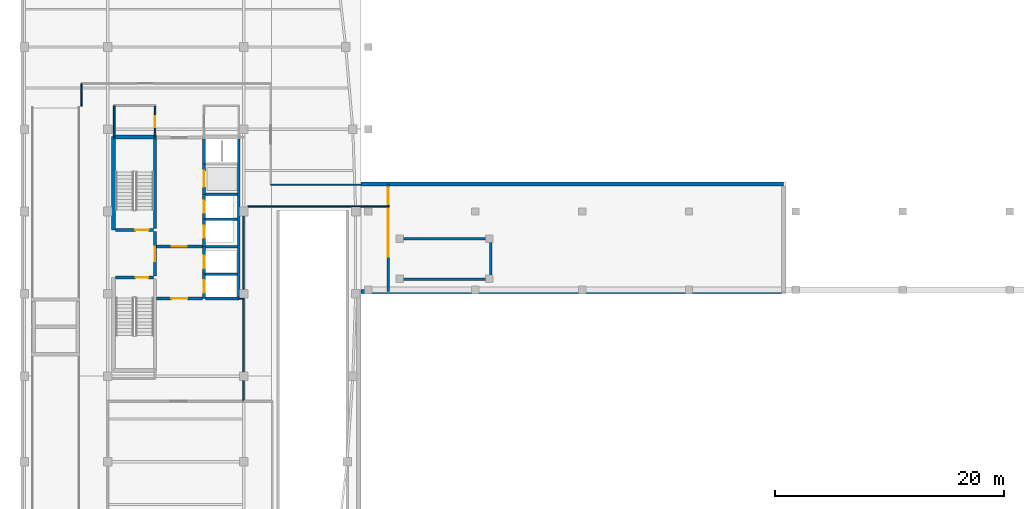
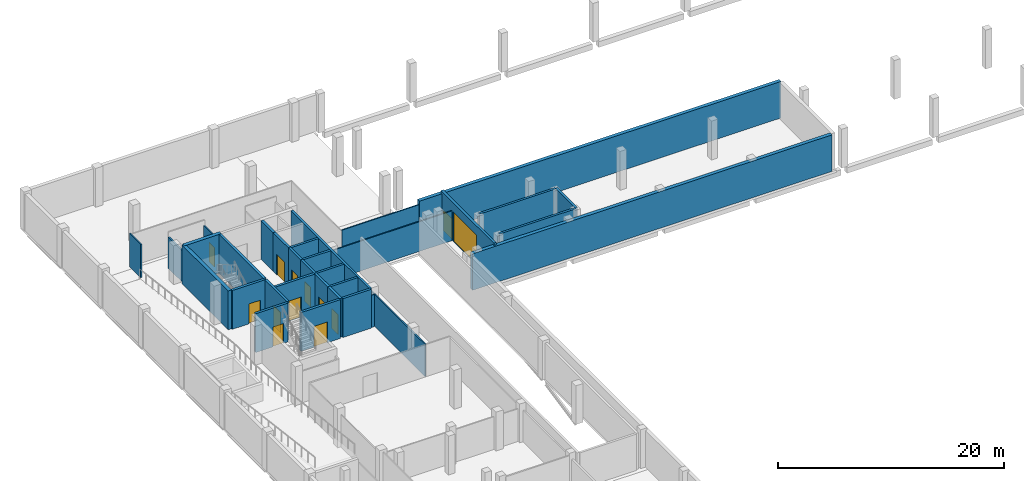
# One storey, part 7 of 15: 33 walls, 13 doors, 13 openings.
"""IFC4 building model written with IfcOpenShell, lengths in metres."""

from ifc_helpers import new_model, si_unit, direction, frame, frame_2d, origin, place, context, subcontext, project, spatial, rectangle, extrude, material, layer, layer_set, type_object, element, fill, save


model = new_model("IFC4")

# Units and contexts
model_context = context("Model", 3, precision=1e-05, world=origin(), true_north=direction((0.0, 1.0)))
body_context = subcontext(model_context, "Body", "Model", "MODEL_VIEW")
ifc_project = project(units=[si_unit("LENGTHUNIT", "METRE"), si_unit("AREAUNIT", "SQUARE_METRE"), si_unit("VOLUMEUNIT", "CUBIC_METRE"), si_unit("PLANEANGLEUNIT", "RADIAN"), si_unit("MASSUNIT", "GRAM", prefix="KILO")], contexts=[model_context])

# Site, building, storey
site_placement = place(None, origin())
site = spatial("IfcSite", under=ifc_project, at=site_placement, CompositionType="ELEMENT")
building_placement = place(site_placement, origin())
building = spatial("IfcBuilding", under=site, at=building_placement, Name="Quillay Park Conservatory", CompositionType="ELEMENT")
storey_placement = place(building_placement, frame((0.0, 0.0, -4.199951171875)))
storey = spatial("IfcBuildingStorey", under=building, at=storey_placement, Name="B1", CompositionType="ELEMENT", Elevation=-4.199951171875)

# Walls
ifc_material_1 = material(Name="Steel-Stud Acoustic Gypsum Board Partition", Category="steel")
ifc_layer_1 = layer(ifc_material_1, 0.10009765625)
ifc_layer_set_1 = layer_set([ifc_layer_1], Name="ACOUSTIC GYPSUM PARTITION 100 (Steel-Stud Acoustic Gypsum Board Partition)")
wall_type_1 = type_object("IfcWallType", Name="ACOUSTIC GYPSUM PARTITION 100", PredefinedType="PARTITIONING", material=ifc_layer_set_1)
wall_1_placement = place(storey_placement, frame((19.320068359375, 84.77490234375, 0.0), z_axis=(0.0, 0.0, 1.0), x_axis=(1.0, 0.0, 0.0)))
element("IfcWall", 1, at=wall_1_placement, inside=storey, type_object=wall_type_1, Name="B1 Core South-East Closure", PredefinedType="PARTITIONING", context=body_context, shape_type="SweptSolid", body=[
    extrude(rectangle(XDim=0.429931640625, YDim=0.10009765625, at=frame_2d((0.21484375, 0.0))), origin(), (0.0, 0.0, 1.0), 3.47705078125),
])
ifc_material_2 = material(Name="Steel-Stud Acoustic Gypsum Board Partition", Category="steel")
ifc_layer_2 = layer(ifc_material_2, 0.114990234375)
ifc_layer_set_2 = layer_set([ifc_layer_2], Name="ACOUSTIC GYPSUM PARTITION 115 (Steel-Stud Acoustic Gypsum Board Partition)")
wall_type_2 = type_object("IfcWallType", Name="ACOUSTIC GYPSUM PARTITION 115", PredefinedType="PARTITIONING", material=ifc_layer_set_2)
wall_2_placement = place(storey_placement, frame((5.550048828125, 101.60009765625, 0.0), z_axis=(0.0, 0.0, 1.0), x_axis=(0.0, 1.0, 0.0)))
element("IfcWall", 2, at=wall_2_placement, inside=storey, type_object=wall_type_2, Name="B1 Spine West Wall North", PredefinedType="PARTITIONING", context=body_context, shape_type="SweptSolid", body=[
    extrude(rectangle(XDim=2.0, YDim=0.114990234375, at=frame_2d((1.0, 0.0))), origin(), (0.0, 0.0, 1.0), 3.626953125),
])
wall_3_placement = place(storey_placement, frame((22.1201171875, 94.75, 0.0), z_axis=(0.0, 0.0, 1.0), x_axis=(1.0, 0.0, 0.0)))
element("IfcWall", 3, at=wall_3_placement, inside=storey, type_object=wall_type_2, Name="B1 Dock Passage North Wall", PredefinedType="PARTITIONING", context=body_context, shape_type="SweptSolid", body=[
    extrude(rectangle(XDim=7.8798828125, YDim=0.114990234375, at=frame_2d((3.93994140625, 0.0))), origin(), (0.0, 0.0, 1.0), 3.52685546875),
])
ifc_material_3 = material(Name="Steel-Stud Acoustic Gypsum Board Partition", Category="steel")
ifc_layer_3 = layer(ifc_material_3, 0.1201171875)
ifc_layer_set_3 = layer_set([ifc_layer_3], Name="ACOUSTIC GYPSUM PARTITION 120 (Steel-Stud Acoustic Gypsum Board Partition)")
wall_type_3 = type_object("IfcWallType", Name="ACOUSTIC GYPSUM PARTITION 120", PredefinedType="PARTITIONING", material=ifc_layer_set_3)
wall_4_placement = place(storey_placement, frame((20.1201171875, 92.840087890625, 0.0), z_axis=(0.0, 0.0, 1.0), x_axis=(1.0, 0.0, 0.0)))
element("IfcWall", 4, at=wall_4_placement, inside=storey, type_object=wall_type_3, Name="B1 Dock Passage South Wall", PredefinedType="PARTITIONING", context=body_context, shape_type="SweptSolid", body=[
    extrude(rectangle(XDim=12.27978515625, YDim=0.1201171875, at=frame_2d((6.139892578125, 0.0))), origin(), (0.0, 0.0, 1.0), 3.217041015625),
])

# Wall, opening, door
ifc_material_4 = material(Name="Steel-Stud Acoustic Gypsum Board Partition", Category="steel")
ifc_layer_4 = layer(ifc_material_4, 0.125)
ifc_layer_set_4 = layer_set([ifc_layer_4], Name="ACOUSTIC GYPSUM PARTITION 125 (Steel-Stud Acoustic Gypsum Board Partition)")
wall_type_4 = type_object("IfcWallType", Name="ACOUSTIC GYPSUM PARTITION 125", PredefinedType="PARTITIONING", material=ifc_layer_set_4)
wall_5_placement = place(storey_placement, frame((12.0, 101.60009765625, 0.0), z_axis=(0.0, 0.0, 1.0), x_axis=(0.0, -1.0, 0.0)))
wall_5 = element("IfcWall", 5, at=wall_5_placement, inside=storey, type_object=wall_type_4, Name="B1 Accessible WC Door Wall", PredefinedType="PARTITIONING", context=body_context, shape_type="SweptSolid", body=[
    extrude(rectangle(XDim=2.68017578125, YDim=0.125, at=frame_2d((1.340087890625, 0.0))), origin(), (0.0, 0.0, 1.0), 3.40087890625),
])
opening_1_placement = place(wall_5_placement, frame((0.85009765625, 0.0, 0.0)))
opening_1 = element("IfcOpeningElement", 6, at=opening_1_placement, cuts=wall_5, Name="Opening D-RM03", PredefinedType="OPENING", context=body_context, shape_type="SweptSolid", body=[
    extrude(rectangle(XDim=0.97998046875, YDim=2.10009765625, at=frame_2d((0.489990234375, 1.050048828125))), frame((0.0, 0.0625, 0.0), z_axis=(0.0, -1.0, 0.0), x_axis=(1.0, 0.0, 0.0)), (0.0, 0.0, 1.0), 0.125),
])
ifc_material_5 = material(Name="Thermally Broken Anodised Aluminium 6063-T6", Category="aluminium")
door_type_1 = type_object("IfcDoorType", Name="SINGLE SWING DOOR 980 X2100", OperationType="NOTDEFINED", PredefinedType="DOOR", material=ifc_material_5)
door_1_placement = place(opening_1_placement, origin())
door_1 = element("IfcDoor", 7, at=door_1_placement, inside=storey, type_object=door_type_1, Name="B1 Door to B1 Accessible WC", OperationType="SINGLE_SWING_LEFT", OverallHeight=2.10009765625, OverallWidth=0.97998046875, PredefinedType="DOOR", context=body_context, shape_type="SweptSolid", body=[
    extrude(rectangle(XDim=0.97998046875, YDim=2.10009765625, at=frame_2d((0.489990234375, 1.050048828125))), frame((0.0, 0.02490234375, 0.0), z_axis=(0.0, -1.0, 0.0), x_axis=(1.0, 0.0, 0.0)), (0.0, 0.0, 1.0), 0.050048828125),
])
fill(opening_1, door_1)

# Walls
wall_6_placement = place(storey_placement, frame((19.75, 92.030029296875, 0.0), z_axis=(0.0, 0.0, 1.0), x_axis=(0.0, -1.0, 0.0)))
element("IfcWall", 8, at=wall_6_placement, inside=storey, type_object=wall_type_4, Name="B1 Core East Ramp Shield Wall", PredefinedType="PARTITIONING", context=body_context, shape_type="SweptSolid", body=[
    extrude(rectangle(XDim=16.22998046875, YDim=0.125, at=frame_2d((8.114990234375, 0.0))), origin(), (0.0, 0.0, 1.0), 3.47705078125),
])
ifc_material_6 = material(Name="Steel-Stud Acoustic Gypsum Board Partition", Category="steel")
ifc_layer_5 = layer(ifc_material_6, 0.139892578125)
ifc_layer_set_5 = layer_set([ifc_layer_5], Name="ACOUSTIC GYPSUM PARTITION 140 (Steel-Stud Acoustic Gypsum Board Partition)")
wall_type_5 = type_object("IfcWallType", Name="ACOUSTIC GYPSUM PARTITION 140", PredefinedType="PARTITIONING", material=ifc_layer_set_5)
wall_7_placement = place(storey_placement, frame((8.419921875, 98.919921875, 0.0), z_axis=(0.0, 0.0, 1.0), x_axis=(0.0, 1.0, 0.0)))
element("IfcWall", 9, at=wall_7_placement, inside=storey, type_object=wall_type_5, Name="B1 Accessible WC West Wall", PredefinedType="PARTITIONING", context=body_context, shape_type="SweptSolid", body=[
    extrude(rectangle(XDim=2.739990234375, YDim=0.139892578125, at=frame_2d((1.3701171875, 0.0))), origin(), (0.0, 0.0, 1.0), 3.40087890625),
])
ifc_material_7 = material(Name="Concrete C35/45 (NCh170 Concrete C35/45)", Category="concrete")
ifc_layer_6 = layer(ifc_material_7, 0.22509765625)
ifc_layer_set_6 = layer_set([ifc_layer_6], Name="CORE SHEAR WALL 225 (Concrete C35/45 (NCh170 Concrete C35/45))")
wall_type_6 = type_object("IfcWallType", Name="CORE SHEAR WALL 225", PredefinedType="SHEAR", material=ifc_layer_set_6)
wall_8_placement = place(storey_placement, frame((19.320068359375, 84.800048828125, 0.0), z_axis=(0.0, 0.0, 1.0), x_axis=(0.0, 1.0, 0.0)))
element("IfcWall", 10, at=wall_8_placement, inside=storey, type_object=wall_type_6, Name="B1 Core Shear Wall WL-LFBACK-B1", PredefinedType="SHEAR", context=body_context, shape_type="SweptSolid", body=[
    extrude(rectangle(XDim=13.949951171875, YDim=0.22509765625, at=frame_2d((6.97509765625, 0.0))), origin(), (0.0, 0.0, 1.0), 4.199951171875),
])
for number, where, z_axis, x_axis, name in (
    (11, (16.39990234375, 86.925048828125, 0.0), (0.0, 0.0, 1.0), (1.0, 0.0, 0.0), "B1 Core Shear Wall WL-LFDIV-B1-869"),
    (12, (16.39990234375, 89.324951171875, 0.0), (0.0, 0.0, 1.0), (1.0, 0.0, 0.0), "B1 Core Shear Wall WL-LFDIV-B1-893"),
    (13, (16.39990234375, 91.72509765625, 0.0), (0.0, 0.0, 1.0), (1.0, 0.0, 0.0), "B1 Core Shear Wall WL-LFDIV-B1-917"),
    (14, (16.39990234375, 93.89990234375, 0.0), (0.0, 0.0, 1.0), (1.0, 0.0, 0.0), "B1 Core Shear Wall WL-LFDIV-B1-939"),
):
    element("IfcWall", number, at=place(storey_placement, frame(where, z_axis=z_axis, x_axis=x_axis)), inside=storey, type_object=wall_type_6, Name=name, PredefinedType="SHEAR", context=body_context, shape_type="SweptSolid", body=[
        extrude(rectangle(XDim=2.800048828125, YDim=0.22509765625, at=frame_2d((1.39990234375, 0.0))), origin(), (0.0, 0.0, 1.0), 4.199951171875),
    ])
for number, where, z_axis, x_axis, name in (
    (15, (33.39990234375, 86.487548828125, 0.0), (0.0, 0.0, 1.0), (1.0, 0.0, 0.0), "B1 Core Shear Wall WL-STC1S-B1"),
    (16, (33.39990234375, 90.032470703125, 0.0), (0.0, 0.0, 1.0), (1.0, 0.0, 0.0), "B1 Core Shear Wall WL-STC1N-B1"),
):
    element("IfcWall", number, at=place(storey_placement, frame(where, z_axis=z_axis, x_axis=x_axis)), inside=storey, type_object=wall_type_6, Name=name, PredefinedType="SHEAR", context=body_context, shape_type="SweptSolid", body=[
        extrude(rectangle(XDim=7.85009765625, YDim=0.22509765625, at=frame_2d((3.925048828125, 0.0))), origin(), (0.0, 0.0, 1.0), 4.199951171875),
    ])
wall_9_placement = place(storey_placement, frame((41.362548828125, 86.487548828125, 0.0), z_axis=(0.0, 0.0, 1.0), x_axis=(0.0, 1.0, 0.0)))
element("IfcWall", 17, at=wall_9_placement, inside=storey, type_object=wall_type_6, Name="B1 Core Shear Wall WL-STC1E-B1", PredefinedType="SHEAR", context=body_context, shape_type="SweptSolid", body=[
    extrude(rectangle(XDim=3.544921875, YDim=0.22509765625, at=frame_2d((1.7724609375, 0.0))), origin(), (0.0, 0.0, 1.0), 4.199951171875),
])
ifc_material_8 = material(Name="Concrete C40/50 (NCh170 Concrete C40/50)", Category="concrete")
ifc_layer_7 = layer(ifc_material_8, 0.25)
ifc_layer_set_7 = layer_set([ifc_layer_7], Name="CORE SHEAR WALL 250 (Concrete C40/50 (NCh170 Concrete C40/50))")
wall_type_7 = type_object("IfcWallType", Name="CORE SHEAR WALL 250", PredefinedType="SHEAR", material=ifc_layer_set_7)
wall_10_placement = place(storey_placement, frame((11.9951171875, 90.89990234375, 0.0), z_axis=(0.0, 0.0, 1.0), x_axis=(0.0, 1.0, 0.0)))
element("IfcWall", 18, at=wall_10_placement, inside=storey, type_object=wall_type_7, Name="B1 Core Shear Wall WL-T1E-B1", PredefinedType="SHEAR", context=body_context, shape_type="SweptSolid", body=[
    extrude(rectangle(XDim=7.85009765625, YDim=0.25, at=frame_2d((3.925048828125, 0.0))), origin(), (0.0, 0.0, 1.0), 4.199951171875),
])

# Wall, opening, door
wall_11_placement = place(storey_placement, frame((11.9951171875, 86.75, 0.0), z_axis=(0.0, 0.0, 1.0), x_axis=(0.0, 1.0, 0.0)))
wall_11 = element("IfcWall", 19, at=wall_11_placement, inside=storey, type_object=wall_type_7, Name="B1 Core Shear Wall WL-FFW-B1", PredefinedType="SHEAR", context=body_context, shape_type="SweptSolid", body=[
    extrude(rectangle(XDim=3.89990234375, YDim=0.25, at=frame_2d((1.949951171875, 0.0))), origin(), (0.0, 0.0, 1.0), 4.199951171875),
])
opening_2_placement = place(wall_11_placement, frame((1.300048828125, 0.0, 0.0)))
opening_2 = element("IfcOpeningElement", 20, at=opening_2_placement, cuts=wall_11, Name="Opening D-LB01", PredefinedType="OPENING", context=body_context, shape_type="SweptSolid", body=[
    extrude(rectangle(XDim=1.25, YDim=2.199951171875, at=frame_2d((0.625, 1.10009765625))), frame((0.0, 0.125, 0.0), z_axis=(0.0, -1.0, 0.0), x_axis=(1.0, 0.0, 0.0)), (0.0, 0.0, 1.0), 0.25),
])
ifc_material_9 = material(Name="Steel ASTM A572 Grade 50", Category="steel")
door_type_2 = type_object("IfcDoorType", Name="FIRE RATED LOBBY DOOR 1250 X2200", OperationType="NOTDEFINED", PredefinedType="DOOR", material=ifc_material_9)
door_2_placement = place(opening_2_placement, origin())
door_2 = element("IfcDoor", 21, at=door_2_placement, inside=storey, type_object=door_type_2, Name="B1 Firefighting Lobby Corridor Door", OperationType="SINGLE_SWING_LEFT", OverallHeight=2.199951171875, OverallWidth=1.25, PredefinedType="DOOR", context=body_context, shape_type="SweptSolid", body=[
    extrude(rectangle(XDim=1.25, YDim=2.199951171875, at=frame_2d((0.625, 1.10009765625))), frame((0.0, 0.02490234375, 0.0), z_axis=(0.0, -1.0, 0.0), x_axis=(1.0, 0.0, 0.0)), (0.0, 0.0, 1.0), 0.050048828125),
])
fill(opening_2, door_2)

wall_12_placement = place(storey_placement, frame((8.550048828125, 86.625, 0.0), z_axis=(0.0, 0.0, 1.0), x_axis=(1.0, 0.0, 0.0)))
wall_12 = element("IfcWall", 22, at=wall_12_placement, inside=storey, type_object=wall_type_7, Name="B1 Core Shear Wall WL-ST2D-B1", PredefinedType="SHEAR", context=body_context, shape_type="SweptSolid", body=[
    extrude(rectangle(XDim=3.320068359375, YDim=0.25, at=frame_2d((1.66015625, 0.0))), origin(), (0.0, 0.0, 1.0), 4.199951171875),
])
opening_3_placement = place(wall_12_placement, frame((1.75, 0.0, 0.0)))
opening_3 = element("IfcOpeningElement", 23, at=opening_3_placement, cuts=wall_12, Name="Opening D-ST01", PredefinedType="OPENING", context=body_context, shape_type="SweptSolid", body=[
    extrude(rectangle(XDim=1.10009765625, YDim=2.14990234375, at=frame_2d((0.550048828125, 1.074951171875))), frame((0.0, 0.125, 0.0), z_axis=(0.0, -1.0, 0.0), x_axis=(1.0, 0.0, 0.0)), (0.0, 0.0, 1.0), 0.25),
])
ifc_material_10 = material(Name="Steel ASTM A572 Grade 50", Category="steel")
door_type_3 = type_object("IfcDoorType", Name="FIRE RATED STAIR DOOR 1100 X2150", OperationType="NOTDEFINED", PredefinedType="DOOR", material=ifc_material_10)
door_3_placement = place(opening_3_placement, origin())
door_3 = element("IfcDoor", 24, at=door_3_placement, inside=storey, type_object=door_type_3, Name="B1 Protected Stair ST-T2 Door", OperationType="SINGLE_SWING_LEFT", OverallHeight=2.14990234375, OverallWidth=1.10009765625, PredefinedType="DOOR", context=body_context, shape_type="SweptSolid", body=[
    extrude(rectangle(XDim=1.10009765625, YDim=2.14990234375, at=frame_2d((0.550048828125, 1.074951171875))), frame((0.0, 0.02490234375, 0.0), z_axis=(0.0, -1.0, 0.0), x_axis=(1.0, 0.0, 0.0)), (0.0, 0.0, 1.0), 0.050048828125),
])
fill(opening_3, door_3)

wall_13_placement = place(storey_placement, frame((11.8701171875, 90.77490234375, 0.0), z_axis=(0.0, 0.0, 1.0), x_axis=(-1.0, 0.0, 0.0)))
wall_13 = element("IfcWall", 25, at=wall_13_placement, inside=storey, type_object=wall_type_7, Name="B1 Core Shear Wall WL-ST1D-B1", PredefinedType="SHEAR", context=body_context, shape_type="SweptSolid", body=[
    extrude(rectangle(XDim=3.320068359375, YDim=0.25, at=frame_2d((1.66015625, 0.0))), origin(), (0.0, 0.0, 1.0), 4.199951171875),
])
opening_4_placement = place(wall_13_placement, frame((0.449951171875, 0.0, 0.0)))
opening_4 = element("IfcOpeningElement", 26, at=opening_4_placement, cuts=wall_13, Name="Opening D-ST02", PredefinedType="OPENING", context=body_context, shape_type="SweptSolid", body=[
    extrude(rectangle(XDim=1.14990234375, YDim=2.14990234375, at=frame_2d((0.574951171875, 1.074951171875))), frame((0.0, 0.125, 0.0), z_axis=(0.0, -1.0, 0.0), x_axis=(1.0, 0.0, 0.0)), (0.0, 0.0, 1.0), 0.25),
])
ifc_material_11 = material(Name="Steel ASTM A572 Grade 50", Category="steel")
door_type_4 = type_object("IfcDoorType", Name="FIRE RATED STAIR DOOR 1150 X2150", OperationType="NOTDEFINED", PredefinedType="DOOR", material=ifc_material_11)
door_4_placement = place(opening_4_placement, origin())
door_4 = element("IfcDoor", 27, at=door_4_placement, inside=storey, type_object=door_type_4, Name="B1 Protected Stair ST-T1 Door", OperationType="SINGLE_SWING_RIGHT", OverallHeight=2.14990234375, OverallWidth=1.14990234375, PredefinedType="DOOR", context=body_context, shape_type="SweptSolid", body=[
    extrude(rectangle(XDim=1.14990234375, YDim=2.14990234375, at=frame_2d((0.574951171875, 1.074951171875))), frame((0.0, 0.02490234375, 0.0), z_axis=(0.0, -1.0, 0.0), x_axis=(1.0, 0.0, 0.0)), (0.0, 0.0, 1.0), 0.050048828125),
])
fill(opening_4, door_4)

wall_14_placement = place(storey_placement, frame((12.1201171875, 89.324951171875, 0.0), z_axis=(0.0, 0.0, 1.0), x_axis=(1.0, 0.0, 0.0)))
wall_14 = element("IfcWall", 28, at=wall_14_placement, inside=storey, type_object=wall_type_7, Name="B1 Core Shear Wall WL-FFDIV-B1", PredefinedType="SHEAR", context=body_context, shape_type="SweptSolid", body=[
    extrude(rectangle(XDim=4.02978515625, YDim=0.25, at=frame_2d((2.014892578125, 0.0))), origin(), (0.0, 0.0, 1.0), 4.199951171875),
])
opening_5_placement = place(wall_14_placement, frame((1.35009765625, 0.0, 0.0)))
opening_5 = element("IfcOpeningElement", 29, at=opening_5_placement, cuts=wall_14, Name="Opening D-LB02", PredefinedType="OPENING", context=body_context, shape_type="SweptSolid", body=[
    extrude(rectangle(XDim=1.300048828125, YDim=2.199951171875, at=frame_2d((0.64990234375, 1.10009765625))), frame((0.0, 0.125, 0.0), z_axis=(0.0, -1.0, 0.0), x_axis=(1.0, 0.0, 0.0)), (0.0, 0.0, 1.0), 0.25),
])
ifc_material_12 = material(Name="Steel ASTM A572 Grade 50", Category="steel")
door_type_5 = type_object("IfcDoorType", Name="FIRE RATED LOBBY DOOR 1300 X2200", OperationType="NOTDEFINED", PredefinedType="DOOR", material=ifc_material_12)
door_5_placement = place(opening_5_placement, origin())
door_5 = element("IfcDoor", 30, at=door_5_placement, inside=storey, type_object=door_type_5, Name="B1 Firefighting to Passenger Lobby Door", OperationType="SINGLE_SWING_LEFT", OverallHeight=2.199951171875, OverallWidth=1.300048828125, PredefinedType="DOOR", context=body_context, shape_type="SweptSolid", body=[
    extrude(rectangle(XDim=1.300048828125, YDim=2.199951171875, at=frame_2d((0.64990234375, 1.10009765625))), frame((0.0, 0.02490234375, 0.0), z_axis=(0.0, -1.0, 0.0), x_axis=(1.0, 0.0, 0.0)), (0.0, 0.0, 1.0), 0.050048828125),
])
fill(opening_5, door_5)

wall_15_placement = place(storey_placement, frame((12.1201171875, 84.77490234375, 0.0), z_axis=(0.0, 0.0, 1.0), x_axis=(1.0, 0.0, 0.0)))
wall_15 = element("IfcWall", 31, at=wall_15_placement, inside=storey, type_object=wall_type_7, Name="B1 Core Shear Wall WL-FFS-B1", PredefinedType="SHEAR", context=body_context, shape_type="SweptSolid", body=[
    extrude(rectangle(XDim=4.02978515625, YDim=0.25, at=frame_2d((2.014892578125, 0.0))), origin(), (0.0, 0.0, 1.0), 4.199951171875),
])
opening_6_placement = place(wall_15_placement, frame((1.300048828125, 0.0, 0.0)))
opening_6 = element("IfcOpeningElement", 32, at=opening_6_placement, cuts=wall_15, Name="Opening D-LB03", PredefinedType="OPENING", context=body_context, shape_type="SweptSolid", body=[
    extrude(rectangle(XDim=1.39990234375, YDim=2.25, at=frame_2d((0.699951171875, 1.125))), frame((0.0, 0.125, 0.0), z_axis=(0.0, -1.0, 0.0), x_axis=(1.0, 0.0, 0.0)), (0.0, 0.0, 1.0), 0.25),
])
ifc_material_13 = material(Name="Steel ASTM A572 Grade 50", Category="steel")
door_type_6 = type_object("IfcDoorType", Name="FIRE RATED LOBBY DOOR 1400 X2250", OperationType="NOTDEFINED", PredefinedType="DOOR", material=ifc_material_13)
door_6_placement = place(opening_6_placement, origin())
door_6 = element("IfcDoor", 33, at=door_6_placement, inside=storey, type_object=door_type_6, Name="B1 South Core Lobby Door", OperationType="SINGLE_SWING_RIGHT", OverallHeight=2.25, OverallWidth=1.39990234375, PredefinedType="DOOR", context=body_context, shape_type="SweptSolid", body=[
    extrude(rectangle(XDim=1.39990234375, YDim=2.25, at=frame_2d((0.699951171875, 1.125))), frame((0.0, 0.02490234375, 0.0), z_axis=(0.0, -1.0, 0.0), x_axis=(1.0, 0.0, 0.0)), (0.0, 0.0, 1.0), 0.050048828125),
])
fill(opening_6, door_6)

# Wall
wall_16_placement = place(storey_placement, frame((16.39990234375, 84.77490234375, 0.0), z_axis=(0.0, 0.0, 1.0), x_axis=(1.0, 0.0, 0.0)))
element("IfcWall", 34, at=wall_16_placement, inside=storey, type_object=wall_type_7, Name="B1 Core Shear Wall WL-LFSO-B1", PredefinedType="SHEAR", context=body_context, shape_type="SweptSolid", body=[
    extrude(rectangle(XDim=2.9501953125, YDim=0.25, at=frame_2d((1.47509765625, 0.0))), origin(), (0.0, 0.0, 1.0), 4.199951171875),
])

# Wall, opening, door
wall_17_placement = place(storey_placement, frame((16.27490234375, 84.800048828125, 0.0), z_axis=(0.0, 0.0, 1.0), x_axis=(0.0, 1.0, 0.0)))
wall_17 = element("IfcWall", 35, at=wall_17_placement, inside=storey, type_object=wall_type_7, Name="B1 Core Shear Wall WL-LFFR-B1-LF-FF1", PredefinedType="SHEAR", context=body_context, shape_type="SweptSolid", body=[
    extrude(rectangle(XDim=2.125, YDim=0.25, at=frame_2d((1.0625, 0.0))), origin(), (0.0, 0.0, 1.0), 4.199951171875),
])
opening_7_placement = place(wall_17_placement, frame((0.5, 0.0, 0.0)))
opening_7 = element("IfcOpeningElement", 36, at=opening_7_placement, cuts=wall_17, Name="Opening LD01", PredefinedType="OPENING", context=body_context, shape_type="SweptSolid", body=[
    extrude(rectangle(XDim=1.10009765625, YDim=2.14990234375, at=frame_2d((0.550048828125, 1.074951171875))), frame((0.0, 0.125, 0.0), z_axis=(0.0, -1.0, 0.0), x_axis=(1.0, 0.0, 0.0)), (0.0, 0.0, 1.0), 0.25),
])
ifc_material_14 = material(Name="Steel ASTM A572 Grade 50", Category="steel")
door_type_7 = type_object("IfcDoorType", Name="LIFT LANDING SLIDING DOOR 1100 X2150", OperationType="NOTDEFINED", PredefinedType="DOOR", material=ifc_material_14)
door_7_placement = place(opening_7_placement, origin())
door_7 = element("IfcDoor", 37, at=door_7_placement, inside=storey, type_object=door_type_7, Name="B1 LF-FF1 Lift Landing Door LD01", OperationType="SLIDING_TO_LEFT", OverallHeight=2.14990234375, OverallWidth=1.10009765625, PredefinedType="DOOR", context=body_context, shape_type="SweptSolid", body=[
    extrude(rectangle(XDim=1.10009765625, YDim=2.14990234375, at=frame_2d((0.550048828125, 1.074951171875))), frame((0.0, 0.02490234375, 0.0), z_axis=(0.0, -1.0, 0.0), x_axis=(1.0, 0.0, 0.0)), (0.0, 0.0, 1.0), 0.050048828125),
])
fill(opening_7, door_7)

wall_18_placement = place(storey_placement, frame((16.27490234375, 86.925048828125, 0.0), z_axis=(0.0, 0.0, 1.0), x_axis=(0.0, 1.0, 0.0)))
wall_18 = element("IfcWall", 38, at=wall_18_placement, inside=storey, type_object=wall_type_7, Name="B1 Core Shear Wall WL-LFFR-B1-LF-FF2", PredefinedType="SHEAR", context=body_context, shape_type="SweptSolid", body=[
    extrude(rectangle(XDim=2.39990234375, YDim=0.25, at=frame_2d((1.199951171875, 0.0))), origin(), (0.0, 0.0, 1.0), 4.199951171875),
])
opening_8_placement = place(wall_18_placement, frame((0.52490234375, 0.0, 0.0)))
opening_8 = element("IfcOpeningElement", 39, at=opening_8_placement, cuts=wall_18, Name="Opening LD01", PredefinedType="OPENING", context=body_context, shape_type="SweptSolid", body=[
    extrude(rectangle(XDim=1.10009765625, YDim=2.14990234375, at=frame_2d((0.550048828125, 1.074951171875))), frame((0.0, 0.125, 0.0), z_axis=(0.0, -1.0, 0.0), x_axis=(1.0, 0.0, 0.0)), (0.0, 0.0, 1.0), 0.25),
])
door_8_placement = place(opening_8_placement, origin())
door_8 = element("IfcDoor", 40, at=door_8_placement, inside=storey, type_object=door_type_7, Name="B1 LF-FF2 Lift Landing Door LD01", OperationType="SLIDING_TO_LEFT", OverallHeight=2.14990234375, OverallWidth=1.10009765625, PredefinedType="DOOR", context=body_context, shape_type="SweptSolid", body=[
    extrude(rectangle(XDim=1.10009765625, YDim=2.14990234375, at=frame_2d((0.550048828125, 1.074951171875))), frame((0.0, 0.02490234375, 0.0), z_axis=(0.0, -1.0, 0.0), x_axis=(1.0, 0.0, 0.0)), (0.0, 0.0, 1.0), 0.050048828125),
])
fill(opening_8, door_8)

wall_19_placement = place(storey_placement, frame((16.27490234375, 89.324951171875, 0.0), z_axis=(0.0, 0.0, 1.0), x_axis=(0.0, 1.0, 0.0)))
wall_19 = element("IfcWall", 41, at=wall_19_placement, inside=storey, type_object=wall_type_7, Name="B1 Core Shear Wall WL-LFFR-B1-LF-P1", PredefinedType="SHEAR", context=body_context, shape_type="SweptSolid", body=[
    extrude(rectangle(XDim=2.400146484375, YDim=0.25, at=frame_2d((1.2001953125, 0.0))), origin(), (0.0, 0.0, 1.0), 4.199951171875),
])
opening_9_placement = place(wall_19_placement, frame((0.800048828125, 0.0, 0.0)))
opening_9 = element("IfcOpeningElement", 42, at=opening_9_placement, cuts=wall_19, Name="Opening LD02", PredefinedType="OPENING", context=body_context, shape_type="SweptSolid", body=[
    extrude(rectangle(XDim=1.050048828125, YDim=2.14990234375, at=frame_2d((0.52490234375, 1.074951171875))), frame((0.0, 0.125, 0.0), z_axis=(0.0, -1.0, 0.0), x_axis=(1.0, 0.0, 0.0)), (0.0, 0.0, 1.0), 0.25),
])
ifc_material_15 = material(Name="Steel ASTM A572 Grade 50", Category="steel")
door_type_8 = type_object("IfcDoorType", Name="LIFT LANDING SLIDING DOOR 1050 X2150", OperationType="NOTDEFINED", PredefinedType="DOOR", material=ifc_material_15)
door_9_placement = place(opening_9_placement, origin())
door_9 = element("IfcDoor", 43, at=door_9_placement, inside=storey, type_object=door_type_8, Name="B1 LF-P1 Lift Landing Door LD02", OperationType="SLIDING_TO_LEFT", OverallHeight=2.14990234375, OverallWidth=1.050048828125, PredefinedType="DOOR", context=body_context, shape_type="SweptSolid", body=[
    extrude(rectangle(XDim=1.050048828125, YDim=2.14990234375, at=frame_2d((0.52490234375, 1.074951171875))), frame((0.0, 0.02490234375, 0.0), z_axis=(0.0, -1.0, 0.0), x_axis=(1.0, 0.0, 0.0)), (0.0, 0.0, 1.0), 0.050048828125),
])
fill(opening_9, door_9)

wall_20_placement = place(storey_placement, frame((16.27490234375, 91.72509765625, 0.0), z_axis=(0.0, 0.0, 1.0), x_axis=(0.0, 1.0, 0.0)))
wall_20 = element("IfcWall", 44, at=wall_20_placement, inside=storey, type_object=wall_type_7, Name="B1 Core Shear Wall WL-LFFR-B1-LF-P2", PredefinedType="SHEAR", context=body_context, shape_type="SweptSolid", body=[
    extrude(rectangle(XDim=2.1748046875, YDim=0.25, at=frame_2d((1.08740234375, 0.0))), origin(), (0.0, 0.0, 1.0), 4.199951171875),
])
opening_10_placement = place(wall_20_placement, frame((0.550048828125, 0.0, 0.0)))
opening_10 = element("IfcOpeningElement", 45, at=opening_10_placement, cuts=wall_20, Name="Opening LD02", PredefinedType="OPENING", context=body_context, shape_type="SweptSolid", body=[
    extrude(rectangle(XDim=1.050048828125, YDim=2.14990234375, at=frame_2d((0.52490234375, 1.074951171875))), frame((0.0, 0.125, 0.0), z_axis=(0.0, -1.0, 0.0), x_axis=(1.0, 0.0, 0.0)), (0.0, 0.0, 1.0), 0.25),
])
door_10_placement = place(opening_10_placement, origin())
door_10 = element("IfcDoor", 46, at=door_10_placement, inside=storey, type_object=door_type_8, Name="B1 LF-P2 Lift Landing Door LD02", OperationType="SLIDING_TO_LEFT", OverallHeight=2.14990234375, OverallWidth=1.050048828125, PredefinedType="DOOR", context=body_context, shape_type="SweptSolid", body=[
    extrude(rectangle(XDim=1.050048828125, YDim=2.14990234375, at=frame_2d((0.52490234375, 1.074951171875))), frame((0.0, 0.02490234375, 0.0), z_axis=(0.0, -1.0, 0.0), x_axis=(1.0, 0.0, 0.0)), (0.0, 0.0, 1.0), 0.050048828125),
])
fill(opening_10, door_10)

wall_21_placement = place(storey_placement, frame((16.27490234375, 93.89990234375, 0.0), z_axis=(0.0, 0.0, 1.0), x_axis=(0.0, 1.0, 0.0)))
wall_21 = element("IfcWall", 47, at=wall_21_placement, inside=storey, type_object=wall_type_7, Name="B1 Core Shear Wall WL-LFFR-B1-LF-G1", PredefinedType="SHEAR", context=body_context, shape_type="SweptSolid", body=[
    extrude(rectangle(XDim=2.675048828125, YDim=0.25, at=frame_2d((1.33740234375, 0.0))), origin(), (0.0, 0.0, 1.0), 4.199951171875),
])
opening_11_placement = place(wall_21_placement, frame((0.64990234375, 0.0, 0.0)))
opening_11 = element("IfcOpeningElement", 48, at=opening_11_placement, cuts=wall_21, Name="Opening LD03", PredefinedType="OPENING", context=body_context, shape_type="SweptSolid", body=[
    extrude(rectangle(XDim=1.39990234375, YDim=2.25, at=frame_2d((0.699951171875, 1.125))), frame((0.0, 0.125, 0.0), z_axis=(0.0, -1.0, 0.0), x_axis=(1.0, 0.0, 0.0)), (0.0, 0.0, 1.0), 0.25),
])
ifc_material_16 = material(Name="Steel ASTM A572 Grade 50", Category="steel")
door_type_9 = type_object("IfcDoorType", Name="LIFT LANDING SLIDING DOOR 1400 X2250", OperationType="NOTDEFINED", PredefinedType="DOOR", material=ifc_material_16)
door_11_placement = place(opening_11_placement, origin())
door_11 = element("IfcDoor", 49, at=door_11_placement, inside=storey, type_object=door_type_9, Name="B1 LF-G1 Lift Landing Door LD03", OperationType="SLIDING_TO_LEFT", OverallHeight=2.25, OverallWidth=1.39990234375, PredefinedType="DOOR", context=body_context, shape_type="SweptSolid", body=[
    extrude(rectangle(XDim=1.39990234375, YDim=2.25, at=frame_2d((0.699951171875, 1.125))), frame((0.0, 0.02490234375, 0.0), z_axis=(0.0, -1.0, 0.0), x_axis=(1.0, 0.0, 0.0)), (0.0, 0.0, 1.0), 0.050048828125),
])
fill(opening_11, door_11)

# Wall
wall_22_placement = place(storey_placement, frame((16.27490234375, 96.574951171875, 0.0), z_axis=(0.0, 0.0, 1.0), x_axis=(0.0, 1.0, 0.0)))
element("IfcWall", 50, at=wall_22_placement, inside=storey, type_object=wall_type_7, Name="B1 Core Shear Wall WL-MEPR-B1", PredefinedType="SHEAR", context=body_context, shape_type="SweptSolid", body=[
    extrude(rectangle(XDim=2.175048828125, YDim=0.25, at=frame_2d((1.08740234375, 0.0))), origin(), (0.0, 0.0, 1.0), 4.199951171875),
])

# Wall, openings, doors
wall_23_placement = place(storey_placement, frame((32.39990234375, 85.39990234375, 0.0), z_axis=(0.0, 0.0, 1.0), x_axis=(0.0, 1.0, 0.0)))
wall_23 = element("IfcWall", 51, at=wall_23_placement, inside=storey, type_object=wall_type_7, Name="B1 Core Shear Wall WL-B1-DOCKSH", PredefinedType="SHEAR", context=body_context, shape_type="SweptSolid", body=[
    extrude(rectangle(XDim=9.400146484375, YDim=0.25, at=frame_2d((4.7001953125, 0.0))), origin(), (0.0, 0.0, 1.0), 4.199951171875),
])
opening_12_placement = place(wall_23_placement, frame((7.6201171875, 0.0, 0.0)))
opening_12 = element("IfcOpeningElement", 52, at=opening_12_placement, cuts=wall_23, Name="Opening D-PL01", PredefinedType="OPENING", context=body_context, shape_type="SweptSolid", body=[
    extrude(rectangle(XDim=1.449951171875, YDim=2.199951171875, at=frame_2d((0.72509765625, 1.10009765625))), frame((0.0, 0.125, 0.0), z_axis=(0.0, -1.0, 0.0), x_axis=(1.0, 0.0, 0.0)), (0.0, 0.0, 1.0), 0.25),
])
opening_13_placement = place(wall_23_placement, frame((3.050048828125, 0.0, 0.0)))
opening_13 = element("IfcOpeningElement", 53, at=opening_13_placement, cuts=wall_23, Name="Opening D-SV01", PredefinedType="OPENING", context=body_context, shape_type="SweptSolid", body=[
    extrude(rectangle(XDim=4.199951171875, YDim=3.199951171875, at=frame_2d((2.10009765625, 1.60009765625))), frame((0.0, 0.125, 0.0), z_axis=(0.0, -1.0, 0.0), x_axis=(1.0, 0.0, 0.0)), (0.0, 0.0, 1.0), 0.25),
])
ifc_material_17 = material(Name="Steel ASTM A572 Grade 50", Category="steel")
door_type_10 = type_object("IfcDoorType", Name="FIRE RATED PLANT DOOR 1450 X2200", OperationType="NOTDEFINED", PredefinedType="DOOR", material=ifc_material_17)
door_12_placement = place(opening_12_placement, origin())
door_12 = element("IfcDoor", 54, at=door_12_placement, inside=storey, type_object=door_type_10, Name="B1 Quarantine Dock Personnel Exit Door", OperationType="SINGLE_SWING_RIGHT", OverallHeight=2.199951171875, OverallWidth=1.449951171875, PredefinedType="DOOR", context=body_context, shape_type="SweptSolid", body=[
    extrude(rectangle(XDim=1.449951171875, YDim=2.199951171875, at=frame_2d((0.72509765625, 1.10009765625))), frame((0.0, 0.02490234375, 0.0), z_axis=(0.0, -1.0, 0.0), x_axis=(1.0, 0.0, 0.0)), (0.0, 0.0, 1.0), 0.050048828125),
])
fill(opening_12, door_12)
ifc_material_18 = material(Name="Thermally Broken Anodised Aluminium 6063-T6", Category="aluminium")
door_type_11 = type_object("IfcDoorType", Name="VEHICLE ROLLER SHUTTER 4200 X3200", OperationType="NOTDEFINED", PredefinedType="GATE", material=ifc_material_18)
door_13_placement = place(opening_13_placement, origin())
door_13 = element("IfcDoor", 55, at=door_13_placement, inside=storey, type_object=door_type_11, Name="D-SV01 Quarantine Loading Dock Roller Shutter", OperationType="ROLLINGUP", OverallHeight=3.199951171875, OverallWidth=4.199951171875, PredefinedType="GATE", context=body_context, shape_type="SweptSolid", body=[
    extrude(rectangle(XDim=4.199951171875, YDim=3.199951171875, at=frame_2d((2.10009765625, 1.60009765625))), frame((0.0, 0.02490234375, 0.0), z_axis=(0.0, -1.0, 0.0), x_axis=(1.0, 0.0, 0.0)), (0.0, 0.0, 1.0), 0.050048828125),
])
fill(opening_13, door_13)

# Walls
ifc_material_19 = material(Name="Concrete C40/50 (NCh170 Concrete C40/50)", Category="concrete")
ifc_layer_8 = layer(ifc_material_19, 0.35009765625)
ifc_layer_set_8 = layer_set([ifc_layer_8], Name="CORE SHEAR WALL 350 (Concrete C40/50 (NCh170 Concrete C40/50))")
wall_type_8 = type_object("IfcWallType", Name="CORE SHEAR WALL 350", PredefinedType="SHEAR", material=ifc_layer_set_8)
wall_24_placement = place(storey_placement, frame((8.375, 90.77490234375, 0.0), z_axis=(0.0, 0.0, 1.0), x_axis=(0.0, 1.0, 0.0)))
element("IfcWall", 56, at=wall_24_placement, inside=storey, type_object=wall_type_8, Name="B1 Core Shear Wall WL-TCW-N-B1", PredefinedType="SHEAR", context=body_context, shape_type="SweptSolid", body=[
    extrude(rectangle(XDim=8.175048828125, YDim=0.35009765625, at=frame_2d((4.08740234375, 0.0))), origin(), (0.0, 0.0, 1.0), 4.199951171875),
])
wall_25_placement = place(storey_placement, frame((8.35009765625, 98.925048828125, 0.0), z_axis=(0.0, 0.0, 1.0), x_axis=(1.0, 0.0, 0.0)))
element("IfcWall", 57, at=wall_25_placement, inside=storey, type_object=wall_type_8, Name="B1 Core Shear Wall WL-TCN-W-B1", PredefinedType="SHEAR", context=body_context, shape_type="SweptSolid", body=[
    extrude(rectangle(XDim=3.77001953125, YDim=0.35009765625, at=frame_2d((1.885009765625, 0.0))), origin(), (0.0, 0.0, 1.0), 4.199951171875),
])
ifc_material_20 = material(Name="Concrete C35/45 (NCh170 Concrete C35/45)", Category="concrete")
ifc_layer_9 = layer(ifc_material_20, 0.360107421875)
ifc_layer_set_9 = layer_set([ifc_layer_9], Name="RETAINING WALL 360 (Concrete C35/45 (NCh170 Concrete C35/45))")
wall_type_9 = type_object("IfcWallType", Name="RETAINING WALL 360", PredefinedType="USERDEFINED", material=ifc_layer_set_9)
wall_26_placement = place(storey_placement, frame((30.0, 94.800048828125, 0.0), z_axis=(0.0, 0.0, 1.0), x_axis=(1.0, 0.0, 0.0)))
element("IfcWall", 58, at=wall_26_placement, inside=storey, type_object=wall_type_9, Name="B1 Perimeter Retaining Wall 04", ObjectType="RETAINING WALL", PredefinedType="USERDEFINED", context=body_context, shape_type="SweptSolid", body=[
    extrude(rectangle(XDim=37.0, YDim=0.360107421875, at=frame_2d((18.5, 0.0))), origin(), (0.0, 0.0, 1.0), 3.949951171875),
])
wall_27_placement = place(storey_placement, frame((66.800048828125, 85.39990234375, 0.0), z_axis=(0.0, 0.0, 1.0), x_axis=(-1.0, 0.0, 0.0)))
element("IfcWall", 59, at=wall_27_placement, inside=storey, type_object=wall_type_9, Name="B1 Perimeter Retaining Wall 06", ObjectType="RETAINING WALL", PredefinedType="USERDEFINED", context=body_context, shape_type="SweptSolid", body=[
    extrude(rectangle(XDim=36.800048828125, YDim=0.360107421875, at=frame_2d((18.39990234375, 0.0))), origin(), (0.0, 0.0, 1.0), 3.949951171875),
])

save(model, "model.ifc")
